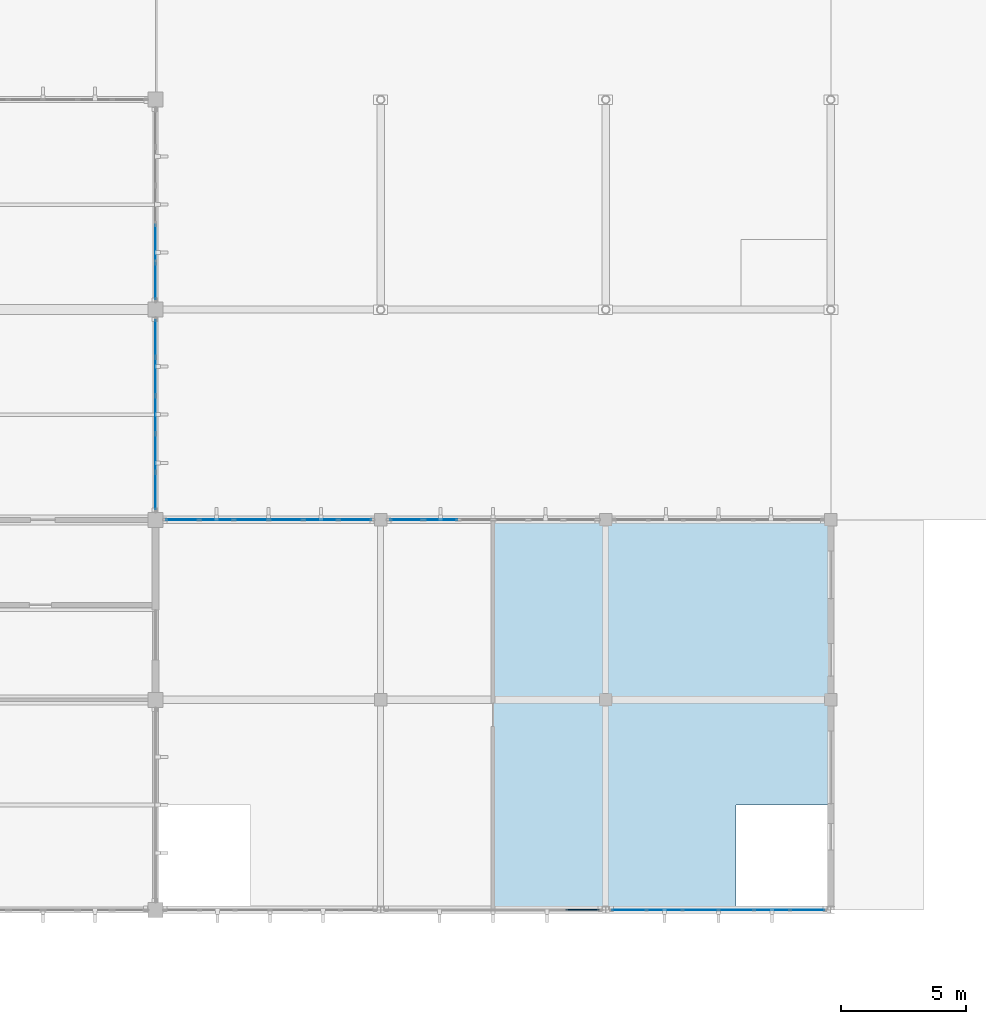
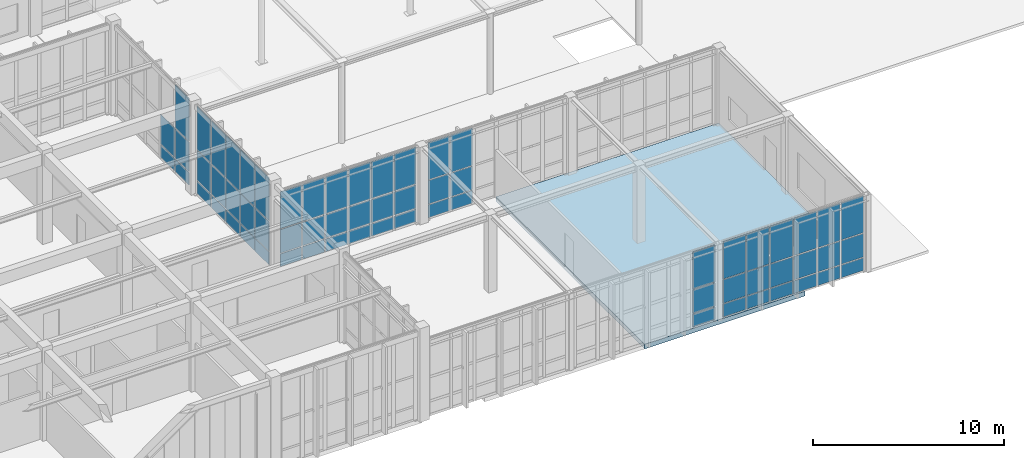
# One storey, part 62 of 110: 65 plates, 1 slab, 6 elements without a shape of their own.
"""IFC4 building model written with IfcOpenShell, lengths in metres."""

from ifc_helpers import new_model, si_unit, direction, frame, origin, origin_2d, place, context, subcontext, project, spatial, polyline, rectangle, outline, extrude, material, layer, layer_set, type_object, element, aggregate, save


model = new_model("IFC4")

# Units and contexts
model_context = context("Model", 3, precision=1e-05, world=origin(), true_north=direction((0.0, 1.0)))
body_context = subcontext(model_context, "Body", "Model", "MODEL_VIEW")
ifc_project = project(units=[si_unit("LENGTHUNIT", "METRE"), si_unit("AREAUNIT", "SQUARE_METRE"), si_unit("VOLUMEUNIT", "CUBIC_METRE"), si_unit("PLANEANGLEUNIT", "RADIAN"), si_unit("MASSUNIT", "GRAM", prefix="KILO")], contexts=[model_context])

# Site, building, storey
site_placement = place(None, origin())
site = spatial("IfcSite", under=ifc_project, at=site_placement, CompositionType="ELEMENT")
building_placement = place(site_placement, origin())
building = spatial("IfcBuilding", under=site, at=building_placement, Name="Tizgana Railside Sports Hall", CompositionType="ELEMENT")
storey_placement = place(building_placement, origin())
storey = spatial("IfcBuildingStorey", under=building, at=storey_placement, Name="L00", CompositionType="ELEMENT", Elevation=0.0)

# Curtain wall, plates
ifc_material_1 = material(Name="Anodised aluminium and glass", Category="aluminium")
curtain_wall_type_1 = type_object("IfcCurtainWallType", Name="Unitised Curtain Wall Foyer 1300", PredefinedType="NOTDEFINED", material=ifc_material_1)
curtain_wall_1_placement = place(storey_placement, origin())
curtain_wall_1 = element("IfcCurtainWall", 1, at=curtain_wall_1_placement, inside=storey, type_object=curtain_wall_type_1, Name="L00 Curtain Wall CW-0153", PredefinedType="NOTDEFINED")
ifc_material_2 = material(Name="Double low-E laminated glass", Category="glass")
ifc_layer_1 = layer(ifc_material_2, 0.033935546875, Name="Double low-E laminated glass")
ifc_layer_set_1 = layer_set([ifc_layer_1], Name="Double low-E laminated glass")
plate_type_1 = type_object("IfcPlateType", Name="Acoustic Laminated Glazing Panel 34", PredefinedType="CURTAIN_PANEL", material=ifc_layer_set_1)
plate_1_placement = place(storey_placement, frame((98.8662109375, 15.60009765625, 0.10986328125), z_axis=(0.0, 0.0, 1.0), x_axis=(1.0, 0.0, 0.0)))
plate_1 = element("IfcPlate", 2, at=plate_1_placement, type_object=plate_type_1, Name="CW-02 panel 1.1", PredefinedType="CURTAIN_PANEL", context=body_context, shape_type="SweptSolid", body=[
    extrude(rectangle(XDim=1.29248046875, YDim=0.033935546875, at=origin_2d()), origin(), (0.0, 0.0, 1.0), 0.802490234375),
])
plate_2_placement = place(storey_placement, frame((98.8662109375, 15.60009765625, 0.9775390625), z_axis=(0.0, 0.0, 1.0), x_axis=(1.0, 0.0, 0.0)))
plate_2 = element("IfcPlate", 3, at=plate_2_placement, type_object=plate_type_1, Name="CW-02 panel 1.2", PredefinedType="CURTAIN_PANEL", context=body_context, shape_type="SweptSolid", body=[
    extrude(rectangle(XDim=1.29248046875, YDim=0.033935546875, at=origin_2d()), origin(), (0.0, 0.0, 1.0), 1.492431640625),
])
plate_3_placement = place(storey_placement, frame((98.8662109375, 15.60009765625, 2.53515625), z_axis=(0.0, 0.0, 1.0), x_axis=(1.0, 0.0, 0.0)))
plate_3 = element("IfcPlate", 4, at=plate_3_placement, type_object=plate_type_1, Name="CW-02 panel 1.3", PredefinedType="CURTAIN_PANEL", context=body_context, shape_type="SweptSolid", body=[
    extrude(rectangle(XDim=1.29248046875, YDim=0.033935546875, at=origin_2d()), origin(), (0.0, 0.0, 1.0), 2.360107421875),
])
plate_4_placement = place(storey_placement, frame((100.239990234375, 15.60009765625, 0.10986328125), z_axis=(0.0, 0.0, 1.0), x_axis=(1.0, 0.0, 0.0)))
plate_4 = element("IfcPlate", 5, at=plate_4_placement, type_object=plate_type_1, Name="CW-02 panel 2.1", PredefinedType="CURTAIN_PANEL", context=body_context, shape_type="SweptSolid", body=[
    extrude(rectangle(XDim=1.324951171875, YDim=0.033935546875, at=origin_2d()), origin(), (0.0, 0.0, 1.0), 0.802490234375),
])
plate_5_placement = place(storey_placement, frame((100.239990234375, 15.60009765625, 0.9775390625), z_axis=(0.0, 0.0, 1.0), x_axis=(1.0, 0.0, 0.0)))
plate_5 = element("IfcPlate", 6, at=plate_5_placement, type_object=plate_type_1, Name="CW-02 panel 2.2", PredefinedType="CURTAIN_PANEL", context=body_context, shape_type="SweptSolid", body=[
    extrude(rectangle(XDim=1.324951171875, YDim=0.033935546875, at=origin_2d()), origin(), (0.0, 0.0, 1.0), 1.492431640625),
])
plate_6_placement = place(storey_placement, frame((100.239990234375, 15.60009765625, 2.53515625), z_axis=(0.0, 0.0, 1.0), x_axis=(1.0, 0.0, 0.0)))
plate_6 = element("IfcPlate", 7, at=plate_6_placement, type_object=plate_type_1, Name="CW-02 panel 2.3", PredefinedType="CURTAIN_PANEL", context=body_context, shape_type="SweptSolid", body=[
    extrude(rectangle(XDim=1.324951171875, YDim=0.033935546875, at=origin_2d()), origin(), (0.0, 0.0, 1.0), 2.360107421875),
])
plate_7_placement = place(storey_placement, frame((101.6298828125, 15.60009765625, 0.10986328125), z_axis=(0.0, 0.0, 1.0), x_axis=(1.0, 0.0, 0.0)))
plate_7 = element("IfcPlate", 8, at=plate_7_placement, type_object=plate_type_1, Name="CW-02 panel 3.1", PredefinedType="CURTAIN_PANEL", context=body_context, shape_type="SweptSolid", body=[
    extrude(rectangle(XDim=1.324951171875, YDim=0.033935546875, at=origin_2d()), origin(), (0.0, 0.0, 1.0), 0.802490234375),
])
plate_8_placement = place(storey_placement, frame((101.6298828125, 15.60009765625, 0.9775390625), z_axis=(0.0, 0.0, 1.0), x_axis=(1.0, 0.0, 0.0)))
plate_8 = element("IfcPlate", 9, at=plate_8_placement, type_object=plate_type_1, Name="CW-02 panel 3.2", PredefinedType="CURTAIN_PANEL", context=body_context, shape_type="SweptSolid", body=[
    extrude(rectangle(XDim=1.324951171875, YDim=0.033935546875, at=origin_2d()), origin(), (0.0, 0.0, 1.0), 1.492431640625),
])
plate_9_placement = place(storey_placement, frame((101.6298828125, 15.60009765625, 2.53515625), z_axis=(0.0, 0.0, 1.0), x_axis=(1.0, 0.0, 0.0)))
plate_9 = element("IfcPlate", 10, at=plate_9_placement, type_object=plate_type_1, Name="CW-02 panel 3.3", PredefinedType="CURTAIN_PANEL", context=body_context, shape_type="SweptSolid", body=[
    extrude(rectangle(XDim=1.324951171875, YDim=0.033935546875, at=origin_2d()), origin(), (0.0, 0.0, 1.0), 2.360107421875),
])
plate_10_placement = place(storey_placement, frame((103.02001953125, 15.60009765625, 0.10986328125), z_axis=(0.0, 0.0, 1.0), x_axis=(1.0, 0.0, 0.0)))
plate_10 = element("IfcPlate", 11, at=plate_10_placement, type_object=plate_type_1, Name="CW-02 panel 4.1", PredefinedType="CURTAIN_PANEL", context=body_context, shape_type="SweptSolid", body=[
    extrude(rectangle(XDim=1.324951171875, YDim=0.033935546875, at=origin_2d()), origin(), (0.0, 0.0, 1.0), 0.802490234375),
])
plate_11_placement = place(storey_placement, frame((103.02001953125, 15.60009765625, 0.9775390625), z_axis=(0.0, 0.0, 1.0), x_axis=(1.0, 0.0, 0.0)))
plate_11 = element("IfcPlate", 12, at=plate_11_placement, type_object=plate_type_1, Name="CW-02 panel 4.2", PredefinedType="CURTAIN_PANEL", context=body_context, shape_type="SweptSolid", body=[
    extrude(rectangle(XDim=1.324951171875, YDim=0.033935546875, at=origin_2d()), origin(), (0.0, 0.0, 1.0), 1.492431640625),
])
plate_12_placement = place(storey_placement, frame((103.02001953125, 15.60009765625, 2.53515625), z_axis=(0.0, 0.0, 1.0), x_axis=(1.0, 0.0, 0.0)))
plate_12 = element("IfcPlate", 13, at=plate_12_placement, type_object=plate_type_1, Name="CW-02 panel 4.3", PredefinedType="CURTAIN_PANEL", context=body_context, shape_type="SweptSolid", body=[
    extrude(rectangle(XDim=1.324951171875, YDim=0.033935546875, at=origin_2d()), origin(), (0.0, 0.0, 1.0), 2.360107421875),
])
plate_13_placement = place(storey_placement, frame((104.409912109375, 15.60009765625, 0.10986328125), z_axis=(0.0, 0.0, 1.0), x_axis=(1.0, 0.0, 0.0)))
plate_13 = element("IfcPlate", 14, at=plate_13_placement, type_object=plate_type_1, Name="CW-02 panel 5.1", PredefinedType="CURTAIN_PANEL", context=body_context, shape_type="SweptSolid", body=[
    extrude(rectangle(XDim=1.324951171875, YDim=0.033935546875, at=origin_2d()), origin(), (0.0, 0.0, 1.0), 0.802490234375),
])
plate_14_placement = place(storey_placement, frame((104.409912109375, 15.60009765625, 0.9775390625), z_axis=(0.0, 0.0, 1.0), x_axis=(1.0, 0.0, 0.0)))
plate_14 = element("IfcPlate", 15, at=plate_14_placement, type_object=plate_type_1, Name="CW-02 panel 5.2", PredefinedType="CURTAIN_PANEL", context=body_context, shape_type="SweptSolid", body=[
    extrude(rectangle(XDim=1.324951171875, YDim=0.033935546875, at=origin_2d()), origin(), (0.0, 0.0, 1.0), 1.492431640625),
])
plate_15_placement = place(storey_placement, frame((104.409912109375, 15.60009765625, 2.53515625), z_axis=(0.0, 0.0, 1.0), x_axis=(1.0, 0.0, 0.0)))
plate_15 = element("IfcPlate", 16, at=plate_15_placement, type_object=plate_type_1, Name="CW-02 panel 5.3", PredefinedType="CURTAIN_PANEL", context=body_context, shape_type="SweptSolid", body=[
    extrude(rectangle(XDim=1.324951171875, YDim=0.033935546875, at=origin_2d()), origin(), (0.0, 0.0, 1.0), 2.360107421875),
])
plate_16_placement = place(storey_placement, frame((105.78369140625, 15.60009765625, 0.10986328125), z_axis=(0.0, 0.0, 1.0), x_axis=(1.0, 0.0, 0.0)))
plate_16 = element("IfcPlate", 17, at=plate_16_placement, type_object=plate_type_1, Name="CW-02 panel 6.1", PredefinedType="CURTAIN_PANEL", context=body_context, shape_type="SweptSolid", body=[
    extrude(rectangle(XDim=1.29248046875, YDim=0.033935546875, at=origin_2d()), origin(), (0.0, 0.0, 1.0), 0.802490234375),
])
plate_17_placement = place(storey_placement, frame((105.78369140625, 15.60009765625, 0.9775390625), z_axis=(0.0, 0.0, 1.0), x_axis=(1.0, 0.0, 0.0)))
plate_17 = element("IfcPlate", 18, at=plate_17_placement, type_object=plate_type_1, Name="CW-02 panel 6.2", PredefinedType="CURTAIN_PANEL", context=body_context, shape_type="SweptSolid", body=[
    extrude(rectangle(XDim=1.29248046875, YDim=0.033935546875, at=origin_2d()), origin(), (0.0, 0.0, 1.0), 1.492431640625),
])
plate_18_placement = place(storey_placement, frame((105.78369140625, 15.60009765625, 2.53515625), z_axis=(0.0, 0.0, 1.0), x_axis=(1.0, 0.0, 0.0)))
plate_18 = element("IfcPlate", 19, at=plate_18_placement, type_object=plate_type_1, Name="CW-02 panel 6.3", PredefinedType="CURTAIN_PANEL", context=body_context, shape_type="SweptSolid", body=[
    extrude(rectangle(XDim=1.29248046875, YDim=0.033935546875, at=origin_2d()), origin(), (0.0, 0.0, 1.0), 2.360107421875),
])
aggregate(curtain_wall_1, [plate_1, plate_2, plate_3, plate_4, plate_5, plate_6, plate_7, plate_8, plate_9, plate_10, plate_11, plate_12, plate_13, plate_14, plate_15, plate_16, plate_17, plate_18])

# Slab
ifc_material_3 = material(Name="Concrete C35/45", Category="concrete")
ifc_layer_2 = layer(ifc_material_3, 0.2900390625, Name="Concrete C35/45")
ifc_layer_set_2 = layer_set([ifc_layer_2], Name="Concrete C35/45")
slab_type = type_object("IfcSlabType", Name="Ground Bearing Wing Slab 290", PredefinedType="BASESLAB", material=ifc_layer_set_2)
slab_placement = place(storey_placement, frame((0.0, 0.0, -0.2900390625)))
element("IfcSlab", 20, at=slab_placement, inside=storey, type_object=slab_type, Name="L00 SE Welcome Wing East Floor SLB-0113", PredefinedType="BASESLAB", context=body_context, shape_type="SweptSolid", body=[
    extrude(outline(polyline([(111.300048828125, 0.0), (121.0, 0.0), (121.0, 4.199951171875), (124.800048828125, 4.199951171875), (124.800048828125, 15.60009765625), (111.300048828125, 15.60009765625), (111.300048828125, 0.0)])), origin(), (0.0, 0.0, 1.0), 0.2900390625),
])

# Curtain wall, plates
curtain_wall_type_2 = type_object("IfcCurtainWallType", Name="Unitised Curtain Wall Studio 1400", PredefinedType="NOTDEFINED", material=ifc_material_1)
curtain_wall_2_placement = place(storey_placement, origin())
curtain_wall_2 = element("IfcCurtainWall", 21, at=curtain_wall_2_placement, inside=storey, type_object=curtain_wall_type_2, Name="L00 Curtain Wall CW-0154", PredefinedType="NOTDEFINED")
ifc_layer_3 = layer(ifc_material_2, 0.0400390625, Name="Double low-E laminated glass")
ifc_layer_set_3 = layer_set([ifc_layer_3], Name="Double low-E laminated glass")
plate_type_2 = type_object("IfcPlateType", Name="High-Span Tempered Glazing Panel 40", PredefinedType="CURTAIN_PANEL", material=ifc_layer_set_3)
plate_19_placement = place(storey_placement, frame((114.8701171875, 0.0, 0.114990234375), z_axis=(0.0, 0.0, 1.0), x_axis=(-1.0, 0.0, 0.0)))
plate_19 = element("IfcPlate", 22, at=plate_19_placement, type_object=plate_type_2, Name="CW-03 panel 1.1", PredefinedType="CURTAIN_PANEL", context=body_context, shape_type="SweptSolid", body=[
    extrude(rectangle(XDim=1.330078125, YDim=0.0400390625, at=origin_2d()), origin(), (0.0, 0.0, 1.0), 0.794921875),
])
plate_20_placement = place(storey_placement, frame((114.8701171875, 0.0, 0.97998046875), z_axis=(0.0, 0.0, 1.0), x_axis=(-1.0, 0.0, 0.0)))
plate_20 = element("IfcPlate", 23, at=plate_20_placement, type_object=plate_type_2, Name="CW-03 panel 1.2", PredefinedType="CURTAIN_PANEL", context=body_context, shape_type="SweptSolid", body=[
    extrude(rectangle(XDim=1.330078125, YDim=0.0400390625, at=origin_2d()), origin(), (0.0, 0.0, 1.0), 1.487548828125),
])
plate_21_placement = place(storey_placement, frame((114.8701171875, 0.0, 2.53759765625), z_axis=(0.0, 0.0, 1.0), x_axis=(-1.0, 0.0, 0.0)))
plate_21 = element("IfcPlate", 24, at=plate_21_placement, type_object=plate_type_2, Name="CW-03 panel 1.3", PredefinedType="CURTAIN_PANEL", context=body_context, shape_type="SweptSolid", body=[
    extrude(rectangle(XDim=1.330078125, YDim=0.0400390625, at=origin_2d()), origin(), (0.0, 0.0, 1.0), 2.3525390625),
])
aggregate(curtain_wall_2, [plate_19, plate_20, plate_21])

curtain_wall_type_3 = type_object("IfcCurtainWallType", Name="Unitised Curtain Wall EastHall 1500", PredefinedType="NOTDEFINED", material=ifc_material_1)
curtain_wall_3_placement = place(storey_placement, origin())
curtain_wall_3 = element("IfcCurtainWall", 25, at=curtain_wall_3_placement, inside=storey, type_object=curtain_wall_type_3, Name="L00 Curtain Wall CW-0087", PredefinedType="NOTDEFINED")
ifc_layer_4 = layer(ifc_material_2, 0.031982421875, Name="Double low-E laminated glass")
ifc_layer_set_4 = layer_set([ifc_layer_4], Name="Double low-E laminated glass")
plate_type_3 = type_object("IfcPlateType", Name="North-Light Clerestory Glazing Panel 32", PredefinedType="CURTAIN_PANEL", material=ifc_layer_set_4)
plate_22_placement = place(storey_placement, frame((97.800048828125, 22.85986328125, 0.10986328125), z_axis=(0.0, 0.0, 1.0), x_axis=(0.0, -1.0, 0.0)))
plate_22 = element("IfcPlate", 26, at=plate_22_placement, type_object=plate_type_3, Name="CW-08 panel 1.1", PredefinedType="CURTAIN_PANEL", context=body_context, shape_type="SweptSolid", body=[
    extrude(rectangle(XDim=1.4404296875, YDim=0.031982421875, at=origin_2d()), origin(), (0.0, 0.0, 1.0), 0.802490234375),
])
plate_23_placement = place(storey_placement, frame((97.800048828125, 22.85986328125, 0.9775390625), z_axis=(0.0, 0.0, 1.0), x_axis=(0.0, -1.0, 0.0)))
plate_23 = element("IfcPlate", 27, at=plate_23_placement, type_object=plate_type_3, Name="CW-08 panel 1.2", PredefinedType="CURTAIN_PANEL", context=body_context, shape_type="SweptSolid", body=[
    extrude(rectangle(XDim=1.4404296875, YDim=0.031982421875, at=origin_2d()), origin(), (0.0, 0.0, 1.0), 1.887451171875),
])
plate_24_placement = place(storey_placement, frame((97.800048828125, 22.85986328125, 2.93017578125), z_axis=(0.0, 0.0, 1.0), x_axis=(0.0, -1.0, 0.0)))
plate_24 = element("IfcPlate", 28, at=plate_24_placement, type_object=plate_type_3, Name="CW-08 panel 1.3", PredefinedType="CURTAIN_PANEL", context=body_context, shape_type="SweptSolid", body=[
    extrude(rectangle(XDim=1.4404296875, YDim=0.031982421875, at=origin_2d()), origin(), (0.0, 0.0, 1.0), 2.7548828125),
])
plate_25_placement = place(storey_placement, frame((97.800048828125, 21.337890625, 0.10986328125), z_axis=(0.0, 0.0, 1.0), x_axis=(0.0, -1.0, 0.0)))
plate_25 = element("IfcPlate", 29, at=plate_25_placement, type_object=plate_type_3, Name="CW-08 panel 2.1", PredefinedType="CURTAIN_PANEL", context=body_context, shape_type="SweptSolid", body=[
    extrude(rectangle(XDim=1.472900390625, YDim=0.031982421875, at=origin_2d()), origin(), (0.0, 0.0, 1.0), 0.802490234375),
])
plate_26_placement = place(storey_placement, frame((97.800048828125, 21.337890625, 0.9775390625), z_axis=(0.0, 0.0, 1.0), x_axis=(0.0, -1.0, 0.0)))
plate_26 = element("IfcPlate", 30, at=plate_26_placement, type_object=plate_type_3, Name="CW-08 panel 2.2", PredefinedType="CURTAIN_PANEL", context=body_context, shape_type="SweptSolid", body=[
    extrude(rectangle(XDim=1.472900390625, YDim=0.031982421875, at=origin_2d()), origin(), (0.0, 0.0, 1.0), 1.887451171875),
])
plate_27_placement = place(storey_placement, frame((97.800048828125, 21.337890625, 2.93017578125), z_axis=(0.0, 0.0, 1.0), x_axis=(0.0, -1.0, 0.0)))
plate_27 = element("IfcPlate", 31, at=plate_27_placement, type_object=plate_type_3, Name="CW-08 panel 2.3", PredefinedType="CURTAIN_PANEL", context=body_context, shape_type="SweptSolid", body=[
    extrude(rectangle(XDim=1.472900390625, YDim=0.031982421875, at=origin_2d()), origin(), (0.0, 0.0, 1.0), 2.7548828125),
])
plate_28_placement = place(storey_placement, frame((97.800048828125, 19.800048828125, 0.10986328125), z_axis=(0.0, 0.0, 1.0), x_axis=(0.0, -1.0, 0.0)))
plate_28 = element("IfcPlate", 32, at=plate_28_placement, type_object=plate_type_3, Name="CW-08 panel 3.1", PredefinedType="CURTAIN_PANEL", context=body_context, shape_type="SweptSolid", body=[
    extrude(rectangle(XDim=1.472900390625, YDim=0.031982421875, at=origin_2d()), origin(), (0.0, 0.0, 1.0), 0.802490234375),
])
plate_29_placement = place(storey_placement, frame((97.800048828125, 19.800048828125, 0.9775390625), z_axis=(0.0, 0.0, 1.0), x_axis=(0.0, -1.0, 0.0)))
plate_29 = element("IfcPlate", 33, at=plate_29_placement, type_object=plate_type_3, Name="CW-08 panel 3.2", PredefinedType="CURTAIN_PANEL", context=body_context, shape_type="SweptSolid", body=[
    extrude(rectangle(XDim=1.472900390625, YDim=0.031982421875, at=origin_2d()), origin(), (0.0, 0.0, 1.0), 1.887451171875),
])
plate_30_placement = place(storey_placement, frame((97.800048828125, 19.800048828125, 2.93017578125), z_axis=(0.0, 0.0, 1.0), x_axis=(0.0, -1.0, 0.0)))
plate_30 = element("IfcPlate", 34, at=plate_30_placement, type_object=plate_type_3, Name="CW-08 panel 3.3", PredefinedType="CURTAIN_PANEL", context=body_context, shape_type="SweptSolid", body=[
    extrude(rectangle(XDim=1.472900390625, YDim=0.031982421875, at=origin_2d()), origin(), (0.0, 0.0, 1.0), 2.7548828125),
])
plate_31_placement = place(storey_placement, frame((97.800048828125, 18.261962890625, 0.10986328125), z_axis=(0.0, 0.0, 1.0), x_axis=(0.0, -1.0, 0.0)))
plate_31 = element("IfcPlate", 35, at=plate_31_placement, type_object=plate_type_3, Name="CW-08 panel 4.1", PredefinedType="CURTAIN_PANEL", context=body_context, shape_type="SweptSolid", body=[
    extrude(rectangle(XDim=1.472900390625, YDim=0.031982421875, at=origin_2d()), origin(), (0.0, 0.0, 1.0), 0.802490234375),
])
plate_32_placement = place(storey_placement, frame((97.800048828125, 18.261962890625, 0.9775390625), z_axis=(0.0, 0.0, 1.0), x_axis=(0.0, -1.0, 0.0)))
plate_32 = element("IfcPlate", 36, at=plate_32_placement, type_object=plate_type_3, Name="CW-08 panel 4.2", PredefinedType="CURTAIN_PANEL", context=body_context, shape_type="SweptSolid", body=[
    extrude(rectangle(XDim=1.472900390625, YDim=0.031982421875, at=origin_2d()), origin(), (0.0, 0.0, 1.0), 1.887451171875),
])
plate_33_placement = place(storey_placement, frame((97.800048828125, 18.261962890625, 2.93017578125), z_axis=(0.0, 0.0, 1.0), x_axis=(0.0, -1.0, 0.0)))
plate_33 = element("IfcPlate", 37, at=plate_33_placement, type_object=plate_type_3, Name="CW-08 panel 4.3", PredefinedType="CURTAIN_PANEL", context=body_context, shape_type="SweptSolid", body=[
    extrude(rectangle(XDim=1.472900390625, YDim=0.031982421875, at=origin_2d()), origin(), (0.0, 0.0, 1.0), 2.7548828125),
])
plate_34_placement = place(storey_placement, frame((97.800048828125, 16.740234375, 0.10986328125), z_axis=(0.0, 0.0, 1.0), x_axis=(0.0, -1.0, 0.0)))
plate_34 = element("IfcPlate", 38, at=plate_34_placement, type_object=plate_type_3, Name="CW-08 panel 5.1", PredefinedType="CURTAIN_PANEL", context=body_context, shape_type="SweptSolid", body=[
    extrude(rectangle(XDim=1.4404296875, YDim=0.031982421875, at=origin_2d()), origin(), (0.0, 0.0, 1.0), 0.802490234375),
])
plate_35_placement = place(storey_placement, frame((97.800048828125, 16.740234375, 0.9775390625), z_axis=(0.0, 0.0, 1.0), x_axis=(0.0, -1.0, 0.0)))
plate_35 = element("IfcPlate", 39, at=plate_35_placement, type_object=plate_type_3, Name="CW-08 panel 5.2", PredefinedType="CURTAIN_PANEL", context=body_context, shape_type="SweptSolid", body=[
    extrude(rectangle(XDim=1.4404296875, YDim=0.031982421875, at=origin_2d()), origin(), (0.0, 0.0, 1.0), 1.887451171875),
])
plate_36_placement = place(storey_placement, frame((97.800048828125, 16.740234375, 2.93017578125), z_axis=(0.0, 0.0, 1.0), x_axis=(0.0, -1.0, 0.0)))
plate_36 = element("IfcPlate", 40, at=plate_36_placement, type_object=plate_type_3, Name="CW-08 panel 5.3", PredefinedType="CURTAIN_PANEL", context=body_context, shape_type="SweptSolid", body=[
    extrude(rectangle(XDim=1.4404296875, YDim=0.031982421875, at=origin_2d()), origin(), (0.0, 0.0, 1.0), 2.7548828125),
])
aggregate(curtain_wall_3, [plate_22, plate_23, plate_24, plate_25, plate_26, plate_27, plate_28, plate_29, plate_30, plate_31, plate_32, plate_33, plate_34, plate_35, plate_36])

curtain_wall_type_4 = type_object("IfcCurtainWallType", Name="Unitised Curtain Wall Climbing 1600", PredefinedType="NOTDEFINED", material=ifc_material_1)
curtain_wall_4_placement = place(storey_placement, origin())
curtain_wall_4 = element("IfcCurtainWall", 41, at=curtain_wall_4_placement, inside=storey, type_object=curtain_wall_type_4, Name="L00 Curtain Wall CW-0155", PredefinedType="NOTDEFINED")
plate_37_placement = place(storey_placement, frame((107.822998046875, 15.60009765625, 0.10009765625), z_axis=(0.0, 0.0, 1.0), x_axis=(1.0, 0.0, 0.0)))
plate_37 = element("IfcPlate", 42, at=plate_37_placement, type_object=plate_type_3, Name="CW-04 panel 1.1", PredefinedType="CURTAIN_PANEL", context=body_context, shape_type="SweptSolid", body=[
    extrude(rectangle(XDim=1.285888671875, YDim=0.031982421875, at=origin_2d()), origin(), (0.0, 0.0, 1.0), 0.8173828125),
])
plate_38_placement = place(storey_placement, frame((107.822998046875, 15.60009765625, 0.972412109375), z_axis=(0.0, 0.0, 1.0), x_axis=(1.0, 0.0, 0.0)))
plate_38 = element("IfcPlate", 43, at=plate_38_placement, type_object=plate_type_3, Name="CW-04 panel 1.2", PredefinedType="CURTAIN_PANEL", context=body_context, shape_type="SweptSolid", body=[
    extrude(rectangle(XDim=1.285888671875, YDim=0.031982421875, at=origin_2d()), origin(), (0.0, 0.0, 1.0), 1.50244140625),
])
plate_39_placement = place(storey_placement, frame((107.822998046875, 15.60009765625, 2.530029296875), z_axis=(0.0, 0.0, 1.0), x_axis=(1.0, 0.0, 0.0)))
plate_39 = element("IfcPlate", 44, at=plate_39_placement, type_object=plate_type_3, Name="CW-04 panel 1.3", PredefinedType="CURTAIN_PANEL", context=body_context, shape_type="SweptSolid", body=[
    extrude(rectangle(XDim=1.285888671875, YDim=0.031982421875, at=origin_2d()), origin(), (0.0, 0.0, 1.0), 2.375),
])
plate_40_placement = place(storey_placement, frame((109.202392578125, 15.60009765625, 0.10009765625), z_axis=(0.0, 0.0, 1.0), x_axis=(1.0, 0.0, 0.0)))
plate_40 = element("IfcPlate", 45, at=plate_40_placement, type_object=plate_type_3, Name="CW-04 panel 2.1", PredefinedType="CURTAIN_PANEL", context=body_context, shape_type="SweptSolid", body=[
    extrude(rectangle(XDim=1.3232421875, YDim=0.031982421875, at=origin_2d()), origin(), (0.0, 0.0, 1.0), 0.8173828125),
])
plate_41_placement = place(storey_placement, frame((109.202392578125, 15.60009765625, 0.972412109375), z_axis=(0.0, 0.0, 1.0), x_axis=(1.0, 0.0, 0.0)))
plate_41 = element("IfcPlate", 46, at=plate_41_placement, type_object=plate_type_3, Name="CW-04 panel 2.2", PredefinedType="CURTAIN_PANEL", context=body_context, shape_type="SweptSolid", body=[
    extrude(rectangle(XDim=1.3232421875, YDim=0.031982421875, at=origin_2d()), origin(), (0.0, 0.0, 1.0), 1.50244140625),
])
plate_42_placement = place(storey_placement, frame((109.202392578125, 15.60009765625, 2.530029296875), z_axis=(0.0, 0.0, 1.0), x_axis=(1.0, 0.0, 0.0)))
plate_42 = element("IfcPlate", 47, at=plate_42_placement, type_object=plate_type_3, Name="CW-04 panel 2.3", PredefinedType="CURTAIN_PANEL", context=body_context, shape_type="SweptSolid", body=[
    extrude(rectangle(XDim=1.3232421875, YDim=0.031982421875, at=origin_2d()), origin(), (0.0, 0.0, 1.0), 2.375),
])
aggregate(curtain_wall_4, [plate_37, plate_38, plate_39, plate_40, plate_41, plate_42])

curtain_wall_type_5 = type_object("IfcCurtainWallType", Name="Unitised Curtain Wall Concourse 1500", PredefinedType="NOTDEFINED", material=ifc_material_1)
curtain_wall_5_placement = place(storey_placement, origin())
curtain_wall_5 = element("IfcCurtainWall", 48, at=curtain_wall_5_placement, inside=storey, type_object=curtain_wall_type_5, Name="L00 Curtain Wall CW-0088", PredefinedType="NOTDEFINED")
ifc_layer_5 = layer(ifc_material_2, 0.028076171875, Name="Double low-E laminated glass")
ifc_layer_set_5 = layer_set([ifc_layer_5], Name="Double low-E laminated glass")
plate_type_4 = type_object("IfcPlateType", Name="Solar Low-E Glazing Panel 28", PredefinedType="CURTAIN_PANEL", material=ifc_layer_set_5)
plate_43_placement = place(storey_placement, frame((97.800048828125, 26.662109375, 0.114990234375), z_axis=(0.0, 0.0, 1.0), x_axis=(0.0, -1.0, 0.0)))
plate_43 = element("IfcPlate", 49, at=plate_43_placement, type_object=plate_type_4, Name="CW-01 panel 4.1", PredefinedType="CURTAIN_PANEL", context=body_context, shape_type="SweptSolid", body=[
    extrude(rectangle(XDim=1.468017578125, YDim=0.028076171875, at=origin_2d()), origin(), (0.0, 0.0, 1.0), 0.794921875),
])
plate_44_placement = place(storey_placement, frame((97.800048828125, 26.662109375, 0.97998046875), z_axis=(0.0, 0.0, 1.0), x_axis=(0.0, -1.0, 0.0)))
plate_44 = element("IfcPlate", 50, at=plate_44_placement, type_object=plate_type_4, Name="CW-01 panel 4.2", PredefinedType="CURTAIN_PANEL", context=body_context, shape_type="SweptSolid", body=[
    extrude(rectangle(XDim=1.468017578125, YDim=0.028076171875, at=origin_2d()), origin(), (0.0, 0.0, 1.0), 1.882568359375),
])
plate_45_placement = place(storey_placement, frame((97.800048828125, 25.1416015625, 0.114990234375), z_axis=(0.0, 0.0, 1.0), x_axis=(0.0, -1.0, 0.0)))
plate_45 = element("IfcPlate", 51, at=plate_45_placement, type_object=plate_type_4, Name="CW-01 panel 5.1", PredefinedType="CURTAIN_PANEL", context=body_context, shape_type="SweptSolid", body=[
    extrude(rectangle(XDim=1.43310546875, YDim=0.028076171875, at=origin_2d()), origin(), (0.0, 0.0, 1.0), 0.794921875),
])
plate_46_placement = place(storey_placement, frame((97.800048828125, 25.1416015625, 0.97998046875), z_axis=(0.0, 0.0, 1.0), x_axis=(0.0, -1.0, 0.0)))
plate_46 = element("IfcPlate", 52, at=plate_46_placement, type_object=plate_type_4, Name="CW-01 panel 5.2", PredefinedType="CURTAIN_PANEL", context=body_context, shape_type="SweptSolid", body=[
    extrude(rectangle(XDim=1.43310546875, YDim=0.028076171875, at=origin_2d()), origin(), (0.0, 0.0, 1.0), 1.882568359375),
])
plate_47_placement = place(storey_placement, frame((97.800048828125, 25.1416015625, 2.932373046875), z_axis=(0.0, 0.0, 1.0), x_axis=(0.0, -1.0, 0.0)))
plate_47 = element("IfcPlate", 53, at=plate_47_placement, type_object=plate_type_4, Name="CW-01 panel 5.3", PredefinedType="CURTAIN_PANEL", context=body_context, shape_type="SweptSolid", body=[
    extrude(rectangle(XDim=1.43310546875, YDim=0.028076171875, at=origin_2d()), origin(), (0.0, 0.0, 1.0), 2.74755859375),
])
aggregate(curtain_wall_5, [plate_43, plate_44, plate_45, plate_46, plate_47])

curtain_wall_type_6 = type_object("IfcCurtainWallType", Name="Unitised Curtain Wall Clinic 1200", PredefinedType="NOTDEFINED", material=ifc_material_1)
curtain_wall_6_placement = place(storey_placement, origin())
curtain_wall_6 = element("IfcCurtainWall", 54, at=curtain_wall_6_placement, inside=storey, type_object=curtain_wall_type_6, Name="L00 Curtain Wall CW-0156", PredefinedType="NOTDEFINED")
plate_48_placement = place(storey_placement, frame((123.87255859375, 0.0, 0.10498046875), z_axis=(0.0, 0.0, 1.0), x_axis=(-1.0, 0.0, 0.0)))
plate_48 = element("IfcPlate", 55, at=plate_48_placement, type_object=plate_type_4, Name="CW-05 panel 1.1", PredefinedType="CURTAIN_PANEL", context=body_context, shape_type="SweptSolid", body=[
    extrude(rectangle(XDim=1.344970703125, YDim=0.028076171875, at=origin_2d()), origin(), (0.0, 0.0, 1.0), 0.81005859375),
])
plate_49_placement = place(storey_placement, frame((123.87255859375, 0.0, 0.974853515625), z_axis=(0.0, 0.0, 1.0), x_axis=(-1.0, 0.0, 0.0)))
plate_49 = element("IfcPlate", 56, at=plate_49_placement, type_object=plate_type_4, Name="CW-05 panel 1.2", PredefinedType="CURTAIN_PANEL", context=body_context, shape_type="SweptSolid", body=[
    extrude(rectangle(XDim=1.344970703125, YDim=0.028076171875, at=origin_2d()), origin(), (0.0, 0.0, 1.0), 1.49755859375),
])
plate_50_placement = place(storey_placement, frame((123.87255859375, 0.0, 2.53271484375), z_axis=(0.0, 0.0, 1.0), x_axis=(-1.0, 0.0, 0.0)))
plate_50 = element("IfcPlate", 57, at=plate_50_placement, type_object=plate_type_4, Name="CW-05 panel 1.3", PredefinedType="CURTAIN_PANEL", context=body_context, shape_type="SweptSolid", body=[
    extrude(rectangle(XDim=1.344970703125, YDim=0.028076171875, at=origin_2d()), origin(), (0.0, 0.0, 1.0), 2.367431640625),
])
plate_51_placement = place(storey_placement, frame((122.452392578125, 0.0, 0.10498046875), z_axis=(0.0, 0.0, 1.0), x_axis=(-1.0, 0.0, 0.0)))
plate_51 = element("IfcPlate", 58, at=plate_51_placement, type_object=plate_type_4, Name="CW-05 panel 2.1", PredefinedType="CURTAIN_PANEL", context=body_context, shape_type="SweptSolid", body=[
    extrude(rectangle(XDim=1.375, YDim=0.028076171875, at=origin_2d()), origin(), (0.0, 0.0, 1.0), 0.81005859375),
])
plate_52_placement = place(storey_placement, frame((122.452392578125, 0.0, 0.974853515625), z_axis=(0.0, 0.0, 1.0), x_axis=(-1.0, 0.0, 0.0)))
plate_52 = element("IfcPlate", 59, at=plate_52_placement, type_object=plate_type_4, Name="CW-05 panel 2.2", PredefinedType="CURTAIN_PANEL", context=body_context, shape_type="SweptSolid", body=[
    extrude(rectangle(XDim=1.375, YDim=0.028076171875, at=origin_2d()), origin(), (0.0, 0.0, 1.0), 1.49755859375),
])
plate_53_placement = place(storey_placement, frame((122.452392578125, 0.0, 2.53271484375), z_axis=(0.0, 0.0, 1.0), x_axis=(-1.0, 0.0, 0.0)))
plate_53 = element("IfcPlate", 60, at=plate_53_placement, type_object=plate_type_4, Name="CW-05 panel 2.3", PredefinedType="CURTAIN_PANEL", context=body_context, shape_type="SweptSolid", body=[
    extrude(rectangle(XDim=1.375, YDim=0.028076171875, at=origin_2d()), origin(), (0.0, 0.0, 1.0), 2.367431640625),
])
plate_54_placement = place(storey_placement, frame((121.017578125, 0.0, 0.10498046875), z_axis=(0.0, 0.0, 1.0), x_axis=(-1.0, 0.0, 0.0)))
plate_54 = element("IfcPlate", 61, at=plate_54_placement, type_object=plate_type_4, Name="CW-05 panel 3.1", PredefinedType="CURTAIN_PANEL", context=body_context, shape_type="SweptSolid", body=[
    extrude(rectangle(XDim=1.375, YDim=0.028076171875, at=origin_2d()), origin(), (0.0, 0.0, 1.0), 0.81005859375),
])
plate_55_placement = place(storey_placement, frame((121.017578125, 0.0, 0.974853515625), z_axis=(0.0, 0.0, 1.0), x_axis=(-1.0, 0.0, 0.0)))
plate_55 = element("IfcPlate", 62, at=plate_55_placement, type_object=plate_type_4, Name="CW-05 panel 3.2", PredefinedType="CURTAIN_PANEL", context=body_context, shape_type="SweptSolid", body=[
    extrude(rectangle(XDim=1.375, YDim=0.028076171875, at=origin_2d()), origin(), (0.0, 0.0, 1.0), 1.49755859375),
])
plate_56_placement = place(storey_placement, frame((121.017578125, 0.0, 2.53271484375), z_axis=(0.0, 0.0, 1.0), x_axis=(-1.0, 0.0, 0.0)))
plate_56 = element("IfcPlate", 63, at=plate_56_placement, type_object=plate_type_4, Name="CW-05 panel 3.3", PredefinedType="CURTAIN_PANEL", context=body_context, shape_type="SweptSolid", body=[
    extrude(rectangle(XDim=1.375, YDim=0.028076171875, at=origin_2d()), origin(), (0.0, 0.0, 1.0), 2.367431640625),
])
plate_57_placement = place(storey_placement, frame((119.58251953125, 0.0, 0.10498046875), z_axis=(0.0, 0.0, 1.0), x_axis=(-1.0, 0.0, 0.0)))
plate_57 = element("IfcPlate", 64, at=plate_57_placement, type_object=plate_type_4, Name="CW-05 panel 4.1", PredefinedType="CURTAIN_PANEL", context=body_context, shape_type="SweptSolid", body=[
    extrude(rectangle(XDim=1.375, YDim=0.028076171875, at=origin_2d()), origin(), (0.0, 0.0, 1.0), 0.81005859375),
])
plate_58_placement = place(storey_placement, frame((119.58251953125, 0.0, 0.974853515625), z_axis=(0.0, 0.0, 1.0), x_axis=(-1.0, 0.0, 0.0)))
plate_58 = element("IfcPlate", 65, at=plate_58_placement, type_object=plate_type_4, Name="CW-05 panel 4.2", PredefinedType="CURTAIN_PANEL", context=body_context, shape_type="SweptSolid", body=[
    extrude(rectangle(XDim=1.375, YDim=0.028076171875, at=origin_2d()), origin(), (0.0, 0.0, 1.0), 1.49755859375),
])
plate_59_placement = place(storey_placement, frame((119.58251953125, 0.0, 2.53271484375), z_axis=(0.0, 0.0, 1.0), x_axis=(-1.0, 0.0, 0.0)))
plate_59 = element("IfcPlate", 66, at=plate_59_placement, type_object=plate_type_4, Name="CW-05 panel 4.3", PredefinedType="CURTAIN_PANEL", context=body_context, shape_type="SweptSolid", body=[
    extrude(rectangle(XDim=1.375, YDim=0.028076171875, at=origin_2d()), origin(), (0.0, 0.0, 1.0), 2.367431640625),
])
plate_60_placement = place(storey_placement, frame((118.1474609375, 0.0, 0.10498046875), z_axis=(0.0, 0.0, 1.0), x_axis=(-1.0, 0.0, 0.0)))
plate_60 = element("IfcPlate", 67, at=plate_60_placement, type_object=plate_type_4, Name="CW-05 panel 5.1", PredefinedType="CURTAIN_PANEL", context=body_context, shape_type="SweptSolid", body=[
    extrude(rectangle(XDim=1.375, YDim=0.028076171875, at=origin_2d()), origin(), (0.0, 0.0, 1.0), 0.81005859375),
])
plate_61_placement = place(storey_placement, frame((118.1474609375, 0.0, 0.974853515625), z_axis=(0.0, 0.0, 1.0), x_axis=(-1.0, 0.0, 0.0)))
plate_61 = element("IfcPlate", 68, at=plate_61_placement, type_object=plate_type_4, Name="CW-05 panel 5.2", PredefinedType="CURTAIN_PANEL", context=body_context, shape_type="SweptSolid", body=[
    extrude(rectangle(XDim=1.375, YDim=0.028076171875, at=origin_2d()), origin(), (0.0, 0.0, 1.0), 1.49755859375),
])
plate_62_placement = place(storey_placement, frame((118.1474609375, 0.0, 2.53271484375), z_axis=(0.0, 0.0, 1.0), x_axis=(-1.0, 0.0, 0.0)))
plate_62 = element("IfcPlate", 69, at=plate_62_placement, type_object=plate_type_4, Name="CW-05 panel 5.3", PredefinedType="CURTAIN_PANEL", context=body_context, shape_type="SweptSolid", body=[
    extrude(rectangle(XDim=1.375, YDim=0.028076171875, at=origin_2d()), origin(), (0.0, 0.0, 1.0), 2.367431640625),
])
plate_63_placement = place(storey_placement, frame((116.7275390625, 0.0, 0.10498046875), z_axis=(0.0, 0.0, 1.0), x_axis=(-1.0, 0.0, 0.0)))
plate_63 = element("IfcPlate", 70, at=plate_63_placement, type_object=plate_type_4, Name="CW-05 panel 6.1", PredefinedType="CURTAIN_PANEL", context=body_context, shape_type="SweptSolid", body=[
    extrude(rectangle(XDim=1.344970703125, YDim=0.028076171875, at=origin_2d()), origin(), (0.0, 0.0, 1.0), 0.81005859375),
])
plate_64_placement = place(storey_placement, frame((116.7275390625, 0.0, 0.974853515625), z_axis=(0.0, 0.0, 1.0), x_axis=(-1.0, 0.0, 0.0)))
plate_64 = element("IfcPlate", 71, at=plate_64_placement, type_object=plate_type_4, Name="CW-05 panel 6.2", PredefinedType="CURTAIN_PANEL", context=body_context, shape_type="SweptSolid", body=[
    extrude(rectangle(XDim=1.344970703125, YDim=0.028076171875, at=origin_2d()), origin(), (0.0, 0.0, 1.0), 1.49755859375),
])
plate_65_placement = place(storey_placement, frame((116.7275390625, 0.0, 2.53271484375), z_axis=(0.0, 0.0, 1.0), x_axis=(-1.0, 0.0, 0.0)))
plate_65 = element("IfcPlate", 72, at=plate_65_placement, type_object=plate_type_4, Name="CW-05 panel 6.3", PredefinedType="CURTAIN_PANEL", context=body_context, shape_type="SweptSolid", body=[
    extrude(rectangle(XDim=1.344970703125, YDim=0.028076171875, at=origin_2d()), origin(), (0.0, 0.0, 1.0), 2.367431640625),
])
aggregate(curtain_wall_6, [plate_48, plate_49, plate_50, plate_51, plate_52, plate_53, plate_54, plate_55, plate_56, plate_57, plate_58, plate_59, plate_60, plate_61, plate_62, plate_63, plate_64, plate_65])

save(model, "model.ifc")
